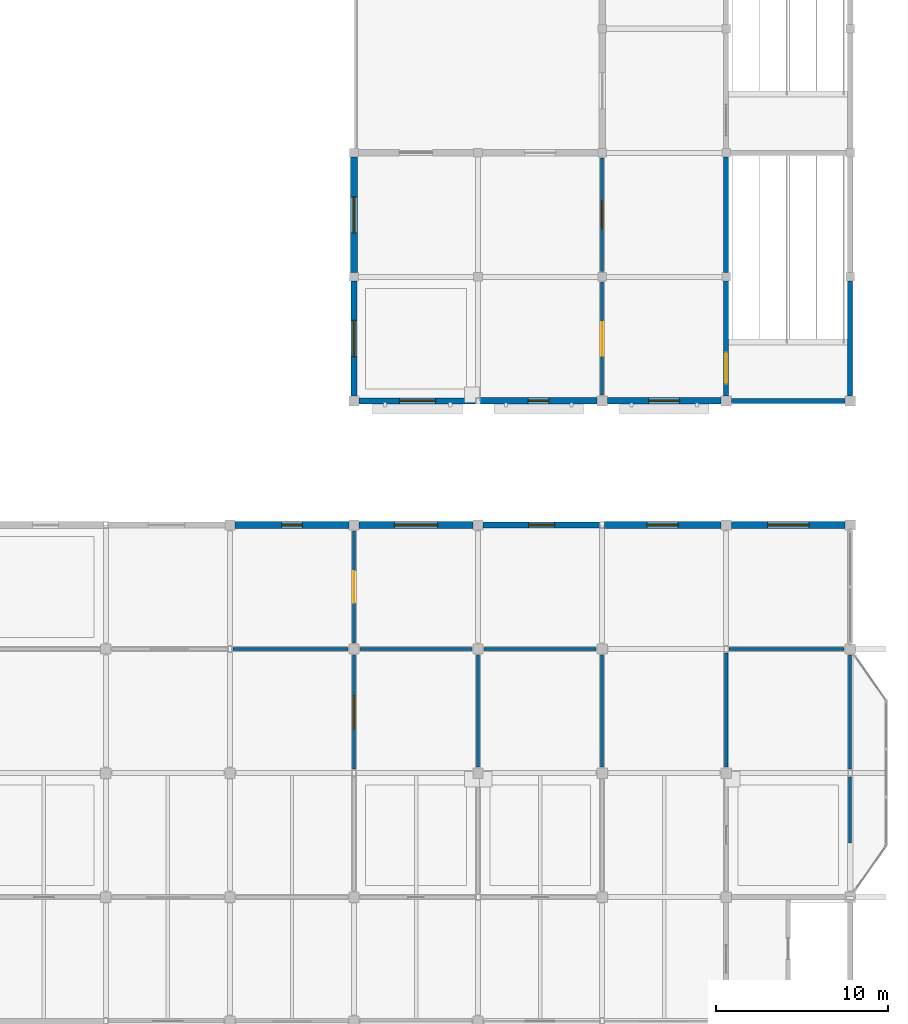
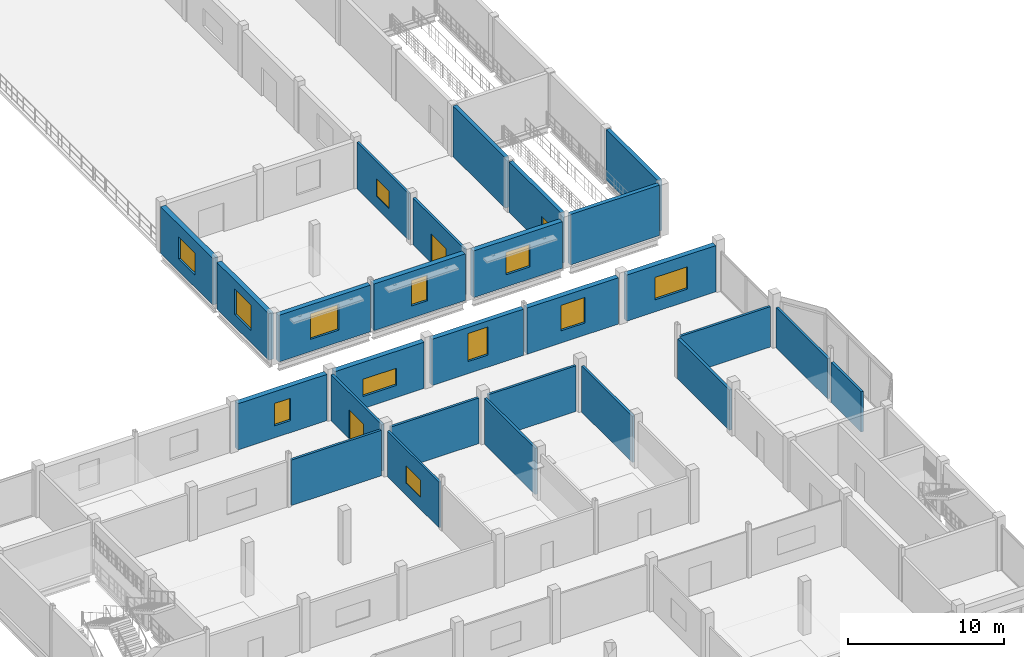
# One storey, part 39 of 51: 27 walls, 12 windows, 3 doors, 15 openings.
"""IFC4 building model written with IfcOpenShell, lengths in metres."""

from ifc_helpers import new_model, si_unit, direction, frame, frame_2d, origin, place, context, subcontext, project, spatial, rectangle, extrude, material, layer, layer_set, type_object, element, fill, save


model = new_model("IFC4")

# Units and contexts
model_context = context("Model", 3, precision=1e-05, world=origin(), true_north=direction((0.0, 1.0)))
body_context = subcontext(model_context, "Body", "Model", "MODEL_VIEW")
ifc_project = project(units=[si_unit("LENGTHUNIT", "METRE"), si_unit("AREAUNIT", "SQUARE_METRE"), si_unit("VOLUMEUNIT", "CUBIC_METRE"), si_unit("PLANEANGLEUNIT", "RADIAN"), si_unit("MASSUNIT", "GRAM", prefix="KILO")], contexts=[model_context])

# Site, building, storey
site_placement = place(None, origin())
site = spatial("IfcSite", under=ifc_project, at=site_placement, CompositionType="ELEMENT")
building_placement = place(site_placement, origin())
building = spatial("IfcBuilding", under=site, at=building_placement, Name="Vesperath Aquatics Centre", CompositionType="ELEMENT")
storey_placement = place(building_placement, frame((0.0, 0.0, 15.0)))
storey = spatial("IfcBuildingStorey", under=building, at=storey_placement, Name="L03", CompositionType="ELEMENT", Elevation=15.0)

# Wall, opening, window
ifc_material_1 = material(Name="Red-terracotta brick insulated cavity wall", Category="masonry")
ifc_layer_1 = layer(ifc_material_1, 0.3798828125)
ifc_layer_set_1 = layer_set([ifc_layer_1], Name="Red-terracotta brick insulated cavity wall")
wall_type_1 = type_object("IfcWallType", Name="WL-EW02", PredefinedType="SOLIDWALL", material=ifc_layer_set_1)
wall_1_placement = place(storey_placement, frame((137.10009765625, 43.199951171875, 0.0), z_axis=(0.0, 0.0, 1.0), x_axis=(1.0, 0.0, 0.0)))
wall_1 = element("IfcWall", 1, at=wall_1_placement, inside=storey, type_object=wall_type_1, Name="Exterior Wall EW02 L03_N_19_06", PredefinedType="SOLIDWALL", context=body_context, shape_type="SweptSolid", body=[
    extrude(rectangle(XDim=6.599853515625, YDim=0.3798828125, at=frame_2d((3.2998046875, 0.0))), origin(), (0.0, 0.0, 1.0), 3.6201171875),
])
opening_1_placement = place(wall_1_placement, frame((2.699951171875, 0.0, 0.949951171875)))
opening_1 = element("IfcOpeningElement", 2, at=opening_1_placement, cuts=wall_1, Name="Opening W14", PredefinedType="OPENING", context=body_context, shape_type="SweptSolid", body=[
    extrude(rectangle(XDim=1.199951171875, YDim=1.75, at=frame_2d((0.60009765625, 0.875))), frame((0.0, 0.204833984375, 0.0), z_axis=(0.0, -1.0, 0.0), x_axis=(1.0, 0.0, 0.0)), (0.0, 0.0, 1.0), 0.40966796875),
])
ifc_material_2 = material(Name="Thermally broken aluminium triple-glazed window", Category="aluminium")
window_type_1 = type_object("IfcWindowType", Name="WN-W14", PartitioningType="SINGLE_PANEL", PredefinedType="WINDOW", material=ifc_material_2)
window_1_placement = place(opening_1_placement, origin())
window_1 = element("IfcWindow", 3, at=window_1_placement, inside=storey, type_object=window_type_1, Name="Deep-Reveal Casement Window W14 L03_N_19_06", OverallHeight=1.75, OverallWidth=1.199951171875, PartitioningType="SINGLE_PANEL", PredefinedType="WINDOW", context=body_context, shape_type="SweptSolid", body=[
    extrude(rectangle(XDim=1.199951171875, YDim=1.75, at=frame_2d((0.60009765625, 0.875))), frame((0.0, 0.030029296875, 0.0), z_axis=(0.0, -1.0, 0.0), x_axis=(1.0, 0.0, 0.0)), (0.0, 0.0, 1.0), 0.06005859375),
])
fill(opening_1, window_1)

wall_2_placement = place(storey_placement, frame((144.300048828125, 43.199951171875, 0.0), z_axis=(0.0, 0.0, 1.0), x_axis=(1.0, 0.0, 0.0)))
wall_2 = element("IfcWall", 4, at=wall_2_placement, inside=storey, type_object=wall_type_1, Name="Exterior Wall EW02 L03_N_20_06", PredefinedType="SOLIDWALL", context=body_context, shape_type="SweptSolid", body=[
    extrude(rectangle(XDim=6.599853515625, YDim=0.3798828125, at=frame_2d((3.2998046875, 0.0))), origin(), (0.0, 0.0, 1.0), 3.6201171875),
])
opening_2_placement = place(wall_2_placement, frame((2.050048828125, 0.0, 0.949951171875)))
opening_2 = element("IfcOpeningElement", 5, at=opening_2_placement, cuts=wall_2, Name="Opening W16", PredefinedType="OPENING", context=body_context, shape_type="SweptSolid", body=[
    extrude(rectangle(XDim=2.5, YDim=1.35009765625, at=frame_2d((1.25, 0.675048828125))), frame((0.0, 0.204833984375, 0.0), z_axis=(0.0, -1.0, 0.0), x_axis=(1.0, 0.0, 0.0)), (0.0, 0.0, 1.0), 0.40966796875),
])
window_type_2 = type_object("IfcWindowType", Name="WN-W16", PartitioningType="SINGLE_PANEL", PredefinedType="WINDOW", material=ifc_material_2)
window_2_placement = place(opening_2_placement, origin())
window_2 = element("IfcWindow", 6, at=window_2_placement, inside=storey, type_object=window_type_2, Name="Deep-Reveal Casement Window W16 L03_N_20_06", OverallHeight=1.35009765625, OverallWidth=2.5, PartitioningType="SINGLE_PANEL", PredefinedType="WINDOW", context=body_context, shape_type="SweptSolid", body=[
    extrude(rectangle(XDim=2.5, YDim=1.35009765625, at=frame_2d((1.25, 0.675048828125))), frame((0.0, 0.030029296875, 0.0), z_axis=(0.0, -1.0, 0.0), x_axis=(1.0, 0.0, 0.0)), (0.0, 0.0, 1.0), 0.06005859375),
])
fill(opening_2, window_2)

wall_3_placement = place(storey_placement, frame((158.52490234375, 43.199951171875, 0.0), z_axis=(0.0, 0.0, 1.0), x_axis=(1.0, 0.0, 0.0)))
wall_3 = element("IfcWall", 7, at=wall_3_placement, inside=storey, type_object=wall_type_1, Name="Exterior Wall EW02 L03_N_22_06", PredefinedType="SOLIDWALL", context=body_context, shape_type="SweptSolid", body=[
    extrude(rectangle(XDim=6.775146484375, YDim=0.3798828125, at=frame_2d((3.3876953125, 0.0))), origin(), (0.0, 0.0, 1.0), 3.6201171875),
])
opening_3_placement = place(wall_3_placement, frame((2.488037109375, 0.0, 0.949951171875)))
opening_3 = element("IfcOpeningElement", 8, at=opening_3_placement, cuts=wall_3, Name="Opening W07", PredefinedType="OPENING", context=body_context, shape_type="SweptSolid", body=[
    extrude(rectangle(XDim=1.800048828125, YDim=2.0, at=frame_2d((0.89990234375, 1.0))), frame((0.0, 0.204833984375, 0.0), z_axis=(0.0, -1.0, 0.0), x_axis=(1.0, 0.0, 0.0)), (0.0, 0.0, 1.0), 0.40966796875),
])
window_type_3 = type_object("IfcWindowType", Name="WN-W07", PartitioningType="SINGLE_PANEL", PredefinedType="WINDOW", material=ifc_material_2)
window_3_placement = place(opening_3_placement, origin())
window_3 = element("IfcWindow", 9, at=window_3_placement, inside=storey, type_object=window_type_3, Name="Deep-Reveal Casement Window W07 L03_N_22_06", OverallHeight=2.0, OverallWidth=1.800048828125, PartitioningType="SINGLE_PANEL", PredefinedType="WINDOW", context=body_context, shape_type="SweptSolid", body=[
    extrude(rectangle(XDim=1.800048828125, YDim=2.0, at=frame_2d((0.89990234375, 1.0))), frame((0.0, 0.030029296875, 0.0), z_axis=(0.0, -1.0, 0.0), x_axis=(1.0, 0.0, 0.0)), (0.0, 0.0, 1.0), 0.06005859375),
])
fill(opening_3, window_3)

wall_4_placement = place(storey_placement, frame((165.89990234375, 43.199951171875, 0.0), z_axis=(0.0, 0.0, 1.0), x_axis=(1.0, 0.0, 0.0)))
wall_4 = element("IfcWall", 10, at=wall_4_placement, inside=storey, type_object=wall_type_1, Name="Exterior Wall EW02 L03_N_23_06", PredefinedType="SOLIDWALL", context=body_context, shape_type="SweptSolid", body=[
    extrude(rectangle(XDim=6.60009765625, YDim=0.3798828125, at=frame_2d((3.300048828125, 0.0))), origin(), (0.0, 0.0, 1.0), 3.6201171875),
])
opening_4_placement = place(wall_4_placement, frame((2.10009765625, 0.0, 0.949951171875)))
opening_4 = element("IfcOpeningElement", 11, at=opening_4_placement, cuts=wall_4, Name="Opening W10", PredefinedType="OPENING", context=body_context, shape_type="SweptSolid", body=[
    extrude(rectangle(XDim=2.39990234375, YDim=1.75, at=frame_2d((1.199951171875, 0.875))), frame((0.0, 0.204833984375, 0.0), z_axis=(0.0, -1.0, 0.0), x_axis=(1.0, 0.0, 0.0)), (0.0, 0.0, 1.0), 0.40966796875),
])
window_type_4 = type_object("IfcWindowType", Name="WN-W10", PartitioningType="SINGLE_PANEL", PredefinedType="WINDOW", material=ifc_material_2)
window_4_placement = place(opening_4_placement, origin())
window_4 = element("IfcWindow", 12, at=window_4_placement, inside=storey, type_object=window_type_4, Name="Deep-Reveal Casement Window W10 L03_N_23_06", OverallHeight=1.75, OverallWidth=2.39990234375, PartitioningType="SINGLE_PANEL", PredefinedType="WINDOW", context=body_context, shape_type="SweptSolid", body=[
    extrude(rectangle(XDim=2.39990234375, YDim=1.75, at=frame_2d((1.199951171875, 0.875))), frame((0.0, 0.030029296875, 0.0), z_axis=(0.0, -1.0, 0.0), x_axis=(1.0, 0.0, 0.0)), (0.0, 0.0, 1.0), 0.06005859375),
])
fill(opening_4, window_4)

wall_5_placement = place(storey_placement, frame((151.324951171875, 50.39990234375, 0.0), z_axis=(0.0, 0.0, 1.0), x_axis=(1.0, 0.0, 0.0)))
wall_5 = element("IfcWall", 13, at=wall_5_placement, inside=storey, type_object=wall_type_1, Name="Exterior Wall EW02 L03_S_21_07", PredefinedType="SOLIDWALL", context=body_context, shape_type="SweptSolid", body=[
    extrude(rectangle(XDim=6.775146484375, YDim=0.3798828125, at=frame_2d((3.3876953125, 0.0))), origin(), (0.0, 0.0, 1.0), 3.64990234375),
])
opening_5_placement = place(wall_5_placement, frame((2.7880859375, 0.0, 0.949951171875)))
opening_5 = element("IfcOpeningElement", 14, at=opening_5_placement, cuts=wall_5, Name="Opening W09", PredefinedType="OPENING", context=body_context, shape_type="SweptSolid", body=[
    extrude(rectangle(XDim=1.199951171875, YDim=2.0, at=frame_2d((0.60009765625, 1.0))), frame((0.0, 0.204833984375, 0.0), z_axis=(0.0, -1.0, 0.0), x_axis=(1.0, 0.0, 0.0)), (0.0, 0.0, 1.0), 0.40966796875),
])
window_type_5 = type_object("IfcWindowType", Name="WN-W09", PartitioningType="SINGLE_PANEL", PredefinedType="WINDOW", material=ifc_material_2)
window_5_placement = place(opening_5_placement, origin())
window_5 = element("IfcWindow", 15, at=window_5_placement, inside=storey, type_object=window_type_5, Name="Deep-Reveal Casement Window W09 L03_S_21_07", OverallHeight=2.0, OverallWidth=1.199951171875, PartitioningType="SINGLE_PANEL", PredefinedType="WINDOW", context=body_context, shape_type="SweptSolid", body=[
    extrude(rectangle(XDim=1.199951171875, YDim=2.0, at=frame_2d((0.60009765625, 1.0))), frame((0.0, 0.030029296875, 0.0), z_axis=(0.0, -1.0, 0.0), x_axis=(1.0, 0.0, 0.0)), (0.0, 0.0, 1.0), 0.06005859375),
])
fill(opening_5, window_5)

wall_6_placement = place(storey_placement, frame((158.699951171875, 50.39990234375, 0.0), z_axis=(0.0, 0.0, 1.0), x_axis=(1.0, 0.0, 0.0)))
wall_6 = element("IfcWall", 16, at=wall_6_placement, inside=storey, type_object=wall_type_1, Name="Exterior Wall EW02 L03_S_22_07", PredefinedType="SOLIDWALL", context=body_context, shape_type="SweptSolid", body=[
    extrude(rectangle(XDim=6.60009765625, YDim=0.3798828125, at=frame_2d((3.300048828125, 0.0))), origin(), (0.0, 0.0, 1.0), 3.64990234375),
])
opening_6_placement = place(wall_6_placement, frame((2.39990234375, 0.0, 0.949951171875)))
opening_6 = element("IfcOpeningElement", 17, at=opening_6_placement, cuts=wall_6, Name="Opening W12", PredefinedType="OPENING", context=body_context, shape_type="SweptSolid", body=[
    extrude(rectangle(XDim=1.800048828125, YDim=1.75, at=frame_2d((0.89990234375, 0.875))), frame((0.0, 0.204833984375, 0.0), z_axis=(0.0, -1.0, 0.0), x_axis=(1.0, 0.0, 0.0)), (0.0, 0.0, 1.0), 0.40966796875),
])
window_type_6 = type_object("IfcWindowType", Name="WN-W12", PartitioningType="SINGLE_PANEL", PredefinedType="WINDOW", material=ifc_material_2)
window_6_placement = place(opening_6_placement, origin())
window_6 = element("IfcWindow", 18, at=window_6_placement, inside=storey, type_object=window_type_6, Name="Deep-Reveal Casement Window W12 L03_S_22_07", OverallHeight=1.75, OverallWidth=1.800048828125, PartitioningType="SINGLE_PANEL", PredefinedType="WINDOW", context=body_context, shape_type="SweptSolid", body=[
    extrude(rectangle(XDim=1.800048828125, YDim=1.75, at=frame_2d((0.89990234375, 0.875))), frame((0.0, 0.030029296875, 0.0), z_axis=(0.0, -1.0, 0.0), x_axis=(1.0, 0.0, 0.0)), (0.0, 0.0, 1.0), 0.06005859375),
])
fill(opening_6, window_6)

wall_7_placement = place(storey_placement, frame((144.0, 57.85009765625, 0.0), z_axis=(0.0, 0.0, 1.0), x_axis=(0.0, 1.0, 0.0)))
wall_7 = element("IfcWall", 19, at=wall_7_placement, inside=storey, type_object=wall_type_1, Name="Exterior Wall EW02 L03_W_20_08", PredefinedType="SOLIDWALL", context=body_context, shape_type="SweptSolid", body=[
    extrude(rectangle(XDim=6.699951171875, YDim=0.3798828125, at=frame_2d((3.35009765625, 0.0))), origin(), (0.0, 0.0, 1.0), 3.64990234375),
])
opening_7_placement = place(wall_7_placement, frame((2.300048828125, 0.0, 0.949951171875)))
opening_7 = element("IfcOpeningElement", 20, at=opening_7_placement, cuts=wall_7, Name="Opening W11", PredefinedType="OPENING", context=body_context, shape_type="SweptSolid", body=[
    extrude(rectangle(XDim=2.10009765625, YDim=1.75, at=frame_2d((1.050048828125, 0.875))), frame((0.0, 0.204833984375, 0.0), z_axis=(0.0, -1.0, 0.0), x_axis=(1.0, 0.0, 0.0)), (0.0, 0.0, 1.0), 0.40966796875),
])
window_type_7 = type_object("IfcWindowType", Name="WN-W11", PartitioningType="SINGLE_PANEL", PredefinedType="WINDOW", material=ifc_material_2)
window_7_placement = place(opening_7_placement, origin())
window_7 = element("IfcWindow", 21, at=window_7_placement, inside=storey, type_object=window_type_7, Name="Deep-Reveal Casement Window W11 L03_W_20_08", OverallHeight=1.75, OverallWidth=2.10009765625, PartitioningType="SINGLE_PANEL", PredefinedType="WINDOW", context=body_context, shape_type="SweptSolid", body=[
    extrude(rectangle(XDim=2.10009765625, YDim=1.75, at=frame_2d((1.050048828125, 0.875))), frame((0.0, 0.030029296875, 0.0), z_axis=(0.0, -1.0, 0.0), x_axis=(1.0, 0.0, 0.0)), (0.0, 0.0, 1.0), 0.06005859375),
])
fill(opening_7, window_7)

ifc_material_3 = material(Name="Glazed majolica and brick insulated cavity wall", Category="masonry")
ifc_layer_2 = layer(ifc_material_3, 0.360107421875)
ifc_layer_set_2 = layer_set([ifc_layer_2], Name="Glazed majolica and brick insulated cavity wall")
wall_type_2 = type_object("IfcWallType", Name="WL-EW03", PredefinedType="SOLIDWALL", material=ifc_layer_set_2)
wall_8_placement = place(storey_placement, frame((151.5, 43.199951171875, 0.0), z_axis=(0.0, 0.0, 1.0), x_axis=(1.0, 0.0, 0.0)))
wall_8 = element("IfcWall", 22, at=wall_8_placement, inside=storey, type_object=wall_type_2, Name="Exterior Wall EW03 L03_N_21_06", PredefinedType="SOLIDWALL", context=body_context, shape_type="SweptSolid", body=[
    extrude(rectangle(XDim=6.77490234375, YDim=0.360107421875, at=frame_2d((3.387451171875, 0.0))), origin(), (0.0, 0.0, 1.0), 3.6201171875),
])
opening_8_placement = place(wall_8_placement, frame((2.637939453125, 0.0, 0.949951171875)))
opening_8 = element("IfcOpeningElement", 23, at=opening_8_placement, cuts=wall_8, Name="Opening W04", PredefinedType="OPENING", context=body_context, shape_type="SweptSolid", body=[
    extrude(rectangle(XDim=1.5, YDim=2.199951171875, at=frame_2d((0.75, 1.10009765625))), frame((0.0, 0.19482421875, 0.0), z_axis=(0.0, -1.0, 0.0), x_axis=(1.0, 0.0, 0.0)), (0.0, 0.0, 1.0), 0.389892578125),
])
window_type_8 = type_object("IfcWindowType", Name="WN-W04", PartitioningType="SINGLE_PANEL", PredefinedType="WINDOW", material=ifc_material_2)
window_8_placement = place(opening_8_placement, origin())
window_8 = element("IfcWindow", 24, at=window_8_placement, inside=storey, type_object=window_type_8, Name="Deep-Reveal Casement Window W04 L03_N_21_06", OverallHeight=2.199951171875, OverallWidth=1.5, PartitioningType="SINGLE_PANEL", PredefinedType="WINDOW", context=body_context, shape_type="SweptSolid", body=[
    extrude(rectangle(XDim=1.5, YDim=2.199951171875, at=frame_2d((0.75, 1.10009765625))), frame((0.0, 0.030029296875, 0.0), z_axis=(0.0, -1.0, 0.0), x_axis=(1.0, 0.0, 0.0)), (0.0, 0.0, 1.0), 0.06005859375),
])
fill(opening_8, window_8)

wall_9_placement = place(storey_placement, frame((144.300048828125, 50.39990234375, 0.0), z_axis=(0.0, 0.0, 1.0), x_axis=(1.0, 0.0, 0.0)))
wall_9 = element("IfcWall", 25, at=wall_9_placement, inside=storey, type_object=wall_type_2, Name="Exterior Wall EW03 L03_S_20_07", PredefinedType="SOLIDWALL", context=body_context, shape_type="SweptSolid", body=[
    extrude(rectangle(XDim=6.77490234375, YDim=0.360107421875, at=frame_2d((3.387451171875, 0.0))), origin(), (0.0, 0.0, 1.0), 3.64990234375),
])
opening_9_placement = place(wall_9_placement, frame((2.3369140625, 0.0, 0.949951171875)))
opening_9 = element("IfcOpeningElement", 26, at=opening_9_placement, cuts=wall_9, Name="Opening W06", PredefinedType="OPENING", context=body_context, shape_type="SweptSolid", body=[
    extrude(rectangle(XDim=2.10009765625, YDim=2.0, at=frame_2d((1.050048828125, 1.0))), frame((0.0, 0.19482421875, 0.0), z_axis=(0.0, -1.0, 0.0), x_axis=(1.0, 0.0, 0.0)), (0.0, 0.0, 1.0), 0.389892578125),
])
window_type_9 = type_object("IfcWindowType", Name="WN-W06", PartitioningType="SINGLE_PANEL", PredefinedType="WINDOW", material=ifc_material_2)
window_9_placement = place(opening_9_placement, origin())
window_9 = element("IfcWindow", 27, at=window_9_placement, inside=storey, type_object=window_type_9, Name="Deep-Reveal Casement Window W06 L03_S_20_07", OverallHeight=2.0, OverallWidth=2.10009765625, PartitioningType="SINGLE_PANEL", PredefinedType="WINDOW", context=body_context, shape_type="SweptSolid", body=[
    extrude(rectangle(XDim=2.10009765625, YDim=2.0, at=frame_2d((1.050048828125, 1.0))), frame((0.0, 0.030029296875, 0.0), z_axis=(0.0, -1.0, 0.0), x_axis=(1.0, 0.0, 0.0)), (0.0, 0.0, 1.0), 0.06005859375),
])
fill(opening_9, window_9)

wall_10_placement = place(storey_placement, frame((144.0, 50.699951171875, 0.0), z_axis=(0.0, 0.0, 1.0), x_axis=(0.0, 1.0, 0.0)))
wall_10 = element("IfcWall", 28, at=wall_10_placement, inside=storey, type_object=wall_type_2, Name="Exterior Wall EW03 L03_W_20_07", PredefinedType="SOLIDWALL", context=body_context, shape_type="SweptSolid", body=[
    extrude(rectangle(XDim=6.650146484375, YDim=0.360107421875, at=frame_2d((3.3251953125, 0.0))), origin(), (0.0, 0.0, 1.0), 3.64990234375),
])
opening_10_placement = place(wall_10_placement, frame((2.27490234375, 0.0, 0.949951171875)))
opening_10 = element("IfcOpeningElement", 29, at=opening_10_placement, cuts=wall_10, Name="Opening W06", PredefinedType="OPENING", context=body_context, shape_type="SweptSolid", body=[
    extrude(rectangle(XDim=2.10009765625, YDim=2.0, at=frame_2d((1.050048828125, 1.0))), frame((0.0, 0.19482421875, 0.0), z_axis=(0.0, -1.0, 0.0), x_axis=(1.0, 0.0, 0.0)), (0.0, 0.0, 1.0), 0.389892578125),
])
window_10_placement = place(opening_10_placement, origin())
window_10 = element("IfcWindow", 30, at=window_10_placement, inside=storey, type_object=window_type_9, Name="Deep-Reveal Casement Window W06 L03_W_20_07", OverallHeight=2.0, OverallWidth=2.10009765625, PartitioningType="SINGLE_PANEL", PredefinedType="WINDOW", context=body_context, shape_type="SweptSolid", body=[
    extrude(rectangle(XDim=2.10009765625, YDim=2.0, at=frame_2d((1.050048828125, 1.0))), frame((0.0, 0.030029296875, 0.0), z_axis=(0.0, -1.0, 0.0), x_axis=(1.0, 0.0, 0.0)), (0.0, 0.0, 1.0), 0.06005859375),
])
fill(opening_10, window_10)

# Wall
ifc_material_4 = material(Name="Wet-village masonry block wall", Category="masonry")
ifc_layer_3 = layer(ifc_material_4, 0.199951171875)
ifc_layer_set_3 = layer_set([ifc_layer_3], Name="Wet-village masonry block wall")
wall_type_3 = type_object("IfcWallType", Name="WL-FW03", PredefinedType="SOLIDWALL", material=ifc_layer_set_3)
wall_11_placement = place(storey_placement, frame((165.60009765625, 29.14990234375, 0.0), z_axis=(0.0, 0.0, 1.0), x_axis=(0.0, 1.0, 0.0)))
element("IfcWall", 31, at=wall_11_placement, inside=storey, type_object=wall_type_3, Name="Interior Partition FW03 L03_AWC-W2", PredefinedType="SOLIDWALL", context=body_context, shape_type="SweptSolid", body=[
    extrude(rectangle(XDim=6.625, YDim=0.199951171875, at=frame_2d((3.3125, 0.0))), origin(), (0.0, 0.0, 1.0), 3.159912109375),
])

# Wall, opening, door
ifc_material_5 = material(Name="Double-stud acoustic studio partition", Category="gypsum")
ifc_layer_4 = layer(ifc_material_5, 0.18505859375)
ifc_layer_set_4 = layer_set([ifc_layer_4], Name="Double-stud acoustic studio partition")
wall_type_4 = type_object("IfcWallType", Name="WL-IW01", PredefinedType="PARTITIONING", material=ifc_layer_set_4)
wall_12_placement = place(storey_placement, frame((144.0, 36.35009765625, 0.0), z_axis=(0.0, 0.0, 1.0), x_axis=(0.0, 1.0, 0.0)))
wall_12 = element("IfcWall", 32, at=wall_12_placement, inside=storey, type_object=wall_type_4, Name="Interior Partition IW01 L03_PHYS_LAB-E1", PredefinedType="PARTITIONING", context=body_context, shape_type="SweptSolid", body=[
    extrude(rectangle(XDim=6.5, YDim=0.18505859375, at=frame_2d((3.25, 0.0))), origin(), (0.0, 0.0, 1.0), 3.6201171875),
])
opening_11_placement = place(wall_12_placement, frame((2.324951171875, 0.0, 0.0)))
opening_11 = element("IfcOpeningElement", 33, at=opening_11_placement, cuts=wall_12, Name="Opening D15", PredefinedType="OPENING", context=body_context, shape_type="SweptSolid", body=[
    extrude(rectangle(XDim=1.85009765625, YDim=2.25, at=frame_2d((0.925048828125, 1.125))), frame((0.0, 0.107421875, 0.0), z_axis=(0.0, -1.0, 0.0), x_axis=(1.0, 0.0, 0.0)), (0.0, 0.0, 1.0), 0.21484375),
])
ifc_material_6 = material(Name="Pool equipment store double door", Category="steel")
door_type_1 = type_object("IfcDoorType", Name="DR-RM07", OperationType="DOUBLE_SWING_LEFT", PredefinedType="DOOR", material=ifc_material_6)
door_1_placement = place(opening_11_placement, origin())
door_1 = element("IfcDoor", 34, at=door_1_placement, inside=storey, type_object=door_type_1, Name="Blood Lactate and Physiology Analysis Suite Door D15", OperationType="DOUBLE_SWING_LEFT", OverallHeight=2.25, OverallWidth=1.85009765625, PredefinedType="DOOR", context=body_context, shape_type="SweptSolid", body=[
    extrude(rectangle(XDim=1.85009765625, YDim=2.25, at=frame_2d((0.925048828125, 1.125))), frame((0.0, 0.02490234375, 0.0), z_axis=(0.0, -1.0, 0.0), x_axis=(1.0, 0.0, 0.0)), (0.0, 0.0, 1.0), 0.050048828125),
])
fill(opening_11, door_1)

# Walls
ifc_material_7 = material(Name="Moisture-resistant tiled wet partition", Category="gypsum")
ifc_layer_5 = layer(ifc_material_7, 0.175048828125)
ifc_layer_set_5 = layer_set([ifc_layer_5], Name="Moisture-resistant tiled wet partition")
wall_type_5 = type_object("IfcWallType", Name="WL-IW02", PredefinedType="PARTITIONING", material=ifc_layer_set_5)
wall_13_placement = place(storey_placement, frame((136.97509765625, 36.0, 0.0), z_axis=(0.0, 0.0, 1.0), x_axis=(1.0, 0.0, 0.0)))
element("IfcWall", 35, at=wall_13_placement, inside=storey, type_object=wall_type_5, Name="Interior Partition IW02 L03_BIOMECH-N3", PredefinedType="PARTITIONING", context=body_context, shape_type="SweptSolid", body=[
    extrude(rectangle(XDim=6.6748046875, YDim=0.175048828125, at=frame_2d((3.33740234375, 0.0))), origin(), (0.0, 0.0, 1.0), 3.570068359375),
])
wall_14_placement = place(storey_placement, frame((144.35009765625, 36.0, 0.0), z_axis=(0.0, 0.0, 1.0), x_axis=(1.0, 0.0, 0.0)))
element("IfcWall", 36, at=wall_14_placement, inside=storey, type_object=wall_type_5, Name="Interior Partition IW02 L03_MWC-N1", PredefinedType="PARTITIONING", context=body_context, shape_type="SweptSolid", body=[
    extrude(rectangle(XDim=6.5, YDim=0.175048828125, at=frame_2d((3.25, 0.0))), origin(), (0.0, 0.0, 1.0), 3.570068359375),
])
wall_15_placement = place(storey_placement, frame((151.199951171875, 29.14990234375, 0.0), z_axis=(0.0, 0.0, 1.0), x_axis=(0.0, 1.0, 0.0)))
element("IfcWall", 37, at=wall_15_placement, inside=storey, type_object=wall_type_5, Name="Interior Partition IW02 L03_MWC-E2", PredefinedType="PARTITIONING", context=body_context, shape_type="SweptSolid", body=[
    extrude(rectangle(XDim=6.5, YDim=0.175048828125, at=frame_2d((3.25, 0.0))), origin(), (0.0, 0.0, 1.0), 3.6201171875),
])
wall_16_placement = place(storey_placement, frame((151.550048828125, 36.0, 0.0), z_axis=(0.0, 0.0, 1.0), x_axis=(1.0, 0.0, 0.0)))
element("IfcWall", 38, at=wall_16_placement, inside=storey, type_object=wall_type_5, Name="Interior Partition IW02 L03_FWC-N1", PredefinedType="PARTITIONING", context=body_context, shape_type="SweptSolid", body=[
    extrude(rectangle(XDim=6.5, YDim=0.175048828125, at=frame_2d((3.25, 0.0))), origin(), (0.0, 0.0, 1.0), 3.570068359375),
])
wall_17_placement = place(storey_placement, frame((158.39990234375, 29.14990234375, 0.0), z_axis=(0.0, 0.0, 1.0), x_axis=(0.0, 1.0, 0.0)))
element("IfcWall", 39, at=wall_17_placement, inside=storey, type_object=wall_type_5, Name="Interior Partition IW02 L03_FWC-E2", PredefinedType="PARTITIONING", context=body_context, shape_type="SweptSolid", body=[
    extrude(rectangle(XDim=6.5, YDim=0.175048828125, at=frame_2d((3.25, 0.0))), origin(), (0.0, 0.0, 1.0), 3.6201171875),
])
wall_18_placement = place(storey_placement, frame((165.77490234375, 36.0, 0.0), z_axis=(0.0, 0.0, 1.0), x_axis=(1.0, 0.0, 0.0)))
element("IfcWall", 40, at=wall_18_placement, inside=storey, type_object=wall_type_5, Name="Interior Partition IW02 L03_AWC-N1", PredefinedType="PARTITIONING", context=body_context, shape_type="SweptSolid", body=[
    extrude(rectangle(XDim=6.675048828125, YDim=0.175048828125, at=frame_2d((3.33740234375, 0.0))), origin(), (0.0, 0.0, 1.0), 3.159912109375),
])
wall_19_placement = place(storey_placement, frame((172.800048828125, 24.75, 0.0), z_axis=(0.0, 0.0, 1.0), x_axis=(0.0, 1.0, 0.0)))
element("IfcWall", 41, at=wall_19_placement, inside=storey, type_object=wall_type_5, Name="Interior Partition IW02 L03_AWC-E1", PredefinedType="PARTITIONING", context=body_context, shape_type="SweptSolid", body=[
    extrude(rectangle(XDim=3.824951171875, YDim=0.175048828125, at=frame_2d((1.91259765625, 0.0))), origin(), (0.0, 0.0, 1.0), 3.159912109375),
])
wall_20_placement = place(storey_placement, frame((172.800048828125, 29.02490234375, 0.0), z_axis=(0.0, 0.0, 1.0), x_axis=(0.0, 1.0, 0.0)))
element("IfcWall", 42, at=wall_20_placement, inside=storey, type_object=wall_type_5, Name="Interior Partition IW02 L03_AWC-E2", PredefinedType="PARTITIONING", context=body_context, shape_type="SweptSolid", body=[
    extrude(rectangle(XDim=6.625, YDim=0.175048828125, at=frame_2d((3.3125, 0.0))), origin(), (0.0, 0.0, 1.0), 3.159912109375),
])

# Wall, opening, door
wall_21_placement = place(storey_placement, frame((158.39990234375, 50.75, 0.0), z_axis=(0.0, 0.0, 1.0), x_axis=(0.0, 1.0, 0.0)))
wall_21 = element("IfcWall", 43, at=wall_21_placement, inside=storey, type_object=wall_type_5, Name="Interior Partition IW02 L03_TEA_SALON-E1", PredefinedType="PARTITIONING", context=body_context, shape_type="SweptSolid", body=[
    extrude(rectangle(XDim=6.550048828125, YDim=0.175048828125, at=frame_2d((3.27490234375, 0.0))), origin(), (0.0, 0.0, 1.0), 3.64990234375),
])
opening_12_placement = place(wall_21_placement, frame((2.27490234375, 0.0, 0.0)))
opening_12 = element("IfcOpeningElement", 44, at=opening_12_placement, cuts=wall_21, Name="Opening D16", PredefinedType="OPENING", context=body_context, shape_type="SweptSolid", body=[
    extrude(rectangle(XDim=1.949951171875, YDim=2.25, at=frame_2d((0.97509765625, 1.125))), frame((0.0, 0.1025390625, 0.0), z_axis=(0.0, -1.0, 0.0), x_axis=(1.0, 0.0, 0.0)), (0.0, 0.0, 1.0), 0.204833984375),
])
ifc_material_8 = material(Name="Mixed-zone media double door", Category="steel")
door_type_2 = type_object("IfcDoorType", Name="DR-RM08", OperationType="DOUBLE_SWING_LEFT", PredefinedType="DOOR", material=ifc_material_8)
door_2_placement = place(opening_12_placement, origin())
door_2 = element("IfcDoor", 45, at=door_2_placement, inside=storey, type_object=door_type_2, Name="Conservatory Tea Salon and Refreshment Room Door D16", OperationType="DOUBLE_SWING_LEFT", OverallHeight=2.25, OverallWidth=1.949951171875, PredefinedType="DOOR", context=body_context, shape_type="SweptSolid", body=[
    extrude(rectangle(XDim=1.949951171875, YDim=2.25, at=frame_2d((0.97509765625, 1.125))), frame((0.0, 0.02490234375, 0.0), z_axis=(0.0, -1.0, 0.0), x_axis=(1.0, 0.0, 0.0)), (0.0, 0.0, 1.0), 0.050048828125),
])
fill(opening_12, door_2)

# Wall, opening, window
ifc_material_9 = material(Name="Corridor fire-rated gypsum partition", Category="gypsum")
ifc_layer_6 = layer(ifc_material_9, 0.16796875)
ifc_layer_set_6 = layer_set([ifc_layer_6], Name="Corridor fire-rated gypsum partition")
wall_type_6 = type_object("IfcWallType", Name="WL-IW03", PredefinedType="PARTITIONING", material=ifc_layer_set_6)
wall_22_placement = place(storey_placement, frame((158.39990234375, 57.89990234375, 0.0), z_axis=(0.0, 0.0, 1.0), x_axis=(0.0, 1.0, 0.0)))
wall_22 = element("IfcWall", 46, at=wall_22_placement, inside=storey, type_object=wall_type_6, Name="Interior Partition IW03 L03_TEA_SALON-E2", PredefinedType="PARTITIONING", context=body_context, shape_type="SweptSolid", body=[
    extrude(rectangle(XDim=6.60009765625, YDim=0.16796875, at=frame_2d((3.300048828125, 0.0))), origin(), (0.0, 0.0, 1.0), 3.64990234375),
])
opening_13_placement = place(wall_22_placement, frame((2.5, 0.0, 0.949951171875)))
opening_13 = element("IfcOpeningElement", 47, at=opening_13_placement, cuts=wall_22, Name="Opening VW09", PredefinedType="OPENING", context=body_context, shape_type="SweptSolid", body=[
    extrude(rectangle(XDim=1.60009765625, YDim=1.35009765625, at=frame_2d((0.800048828125, 0.675048828125))), frame((0.0, 0.098876953125, 0.0), z_axis=(0.0, -1.0, 0.0), x_axis=(1.0, 0.0, 0.0)), (0.0, 0.0, 1.0), 0.19775390625),
])
ifc_material_10 = material(Name="Acoustic laminated interior viewing glazing", Category="glass")
window_type_10 = type_object("IfcWindowType", Name="WN-IW09", PartitioningType="SINGLE_PANEL", PredefinedType="WINDOW", material=ifc_material_10)
window_11_placement = place(opening_13_placement, origin())
window_11 = element("IfcWindow", 48, at=window_11_placement, inside=storey, type_object=window_type_10, Name="Interior Viewing Window VW09 L03_TEA_SALON", OverallHeight=1.35009765625, OverallWidth=1.60009765625, PartitioningType="SINGLE_PANEL", PredefinedType="WINDOW", context=body_context, shape_type="SweptSolid", body=[
    extrude(rectangle(XDim=1.60009765625, YDim=1.35009765625, at=frame_2d((0.800048828125, 0.675048828125))), frame((0.0, 0.030029296875, 0.0), z_axis=(0.0, -1.0, 0.0), x_axis=(1.0, 0.0, 0.0)), (0.0, 0.0, 1.0), 0.06005859375),
])
fill(opening_13, window_11)

ifc_material_11 = material(Name="Clinic acoustic partition", Category="gypsum")
ifc_layer_7 = layer(ifc_material_11, 0.159912109375)
ifc_layer_set_7 = layer_set([ifc_layer_7], Name="Clinic acoustic partition")
wall_type_7 = type_object("IfcWallType", Name="WL-IW04", PredefinedType="PARTITIONING", material=ifc_layer_set_7)
wall_23_placement = place(storey_placement, frame((144.0, 29.02490234375, 0.0), z_axis=(0.0, 0.0, 1.0), x_axis=(0.0, 1.0, 0.0)))
wall_23 = element("IfcWall", 49, at=wall_23_placement, inside=storey, type_object=wall_type_7, Name="Interior Partition IW04 L03_BIOMECH-E2", PredefinedType="PARTITIONING", context=body_context, shape_type="SweptSolid", body=[
    extrude(rectangle(XDim=6.625, YDim=0.159912109375, at=frame_2d((3.3125, 0.0))), origin(), (0.0, 0.0, 1.0), 3.570068359375),
])
opening_14_placement = place(wall_23_placement, frame((2.362060546875, 0.0, 0.949951171875)))
opening_14 = element("IfcOpeningElement", 50, at=opening_14_placement, cuts=wall_23, Name="Opening VW08", PredefinedType="OPENING", context=body_context, shape_type="SweptSolid", body=[
    extrude(rectangle(XDim=1.89990234375, YDim=1.35009765625, at=frame_2d((0.949951171875, 0.675048828125))), frame((0.0, 0.0947265625, 0.0), z_axis=(0.0, -1.0, 0.0), x_axis=(1.0, 0.0, 0.0)), (0.0, 0.0, 1.0), 0.189697265625),
])
window_type_11 = type_object("IfcWindowType", Name="WN-IW08", PartitioningType="SINGLE_PANEL", PredefinedType="WINDOW", material=ifc_material_10)
window_12_placement = place(opening_14_placement, origin())
window_12 = element("IfcWindow", 51, at=window_12_placement, inside=storey, type_object=window_type_11, Name="Interior Viewing Window VW08 L03_BIOMECH", OverallHeight=1.35009765625, OverallWidth=1.89990234375, PartitioningType="SINGLE_PANEL", PredefinedType="WINDOW", context=body_context, shape_type="SweptSolid", body=[
    extrude(rectangle(XDim=1.89990234375, YDim=1.35009765625, at=frame_2d((0.949951171875, 0.675048828125))), frame((0.0, 0.030029296875, 0.0), z_axis=(0.0, -1.0, 0.0), x_axis=(1.0, 0.0, 0.0)), (0.0, 0.0, 1.0), 0.06005859375),
])
fill(opening_14, window_12)

# Wall, opening, door
ifc_material_12 = material(Name="Concrete C40", Category="concrete")
ifc_layer_8 = layer(ifc_material_12, 0.280029296875)
ifc_layer_set_8 = layer_set([ifc_layer_8], Name="Concrete C40")
wall_type_8 = type_object("IfcWallType", Name="WL-SW02", PredefinedType="SHEAR", material=ifc_layer_set_8)
wall_24_placement = place(storey_placement, frame((165.60009765625, 50.699951171875, 0.0), z_axis=(0.0, 0.0, 1.0), x_axis=(0.0, 1.0, 0.0)))
wall_24 = element("IfcWall", 52, at=wall_24_placement, inside=storey, type_object=wall_type_8, Name="Core C12 West-1 Shear Wall SW02 L03", PredefinedType="SHEAR", context=body_context, shape_type="SweptSolid", body=[
    extrude(rectangle(XDim=6.650146484375, YDim=0.280029296875, at=frame_2d((3.3251953125, 0.0))), origin(), (0.0, 0.0, 1.0), 3.9599609375),
])
opening_15_placement = place(wall_24_placement, frame((0.699951171875, 0.0, 0.0)))
opening_15 = element("IfcOpeningElement", 53, at=opening_15_placement, cuts=wall_24, Name="Opening D03", PredefinedType="OPENING", context=body_context, shape_type="SweptSolid", body=[
    extrude(rectangle(XDim=1.800048828125, YDim=2.199951171875, at=frame_2d((0.89990234375, 1.10009765625))), frame((0.0, 0.15478515625, 0.0), z_axis=(0.0, -1.0, 0.0), x_axis=(1.0, 0.0, 0.0)), (0.0, 0.0, 1.0), 0.309814453125),
])
ifc_material_13 = material(Name="Corridor smoke-control double fire door", Category="steel")
door_type_3 = type_object("IfcDoorType", Name="DR-FD03", OperationType="DOUBLE_SWING_LEFT", PredefinedType="DOOR", material=ifc_material_13)
door_3_placement = place(opening_15_placement, frame((1.800048828125, 0.0, 0.0), z_axis=(0.0, 0.0, 1.0), x_axis=(-1.0, 0.0, 0.0)))
door_3 = element("IfcDoor", 54, at=door_3_placement, inside=storey, type_object=door_type_3, Name="Stair ST12 Fire Door D03 L03", OperationType="DOUBLE_SWING_LEFT", OverallHeight=2.199951171875, OverallWidth=1.800048828125, PredefinedType="DOOR", context=body_context, shape_type="SweptSolid", body=[
    extrude(rectangle(XDim=1.800048828125, YDim=2.199951171875, at=frame_2d((0.89990234375, 1.10009765625))), frame((0.0, 0.02490234375, 0.0), z_axis=(0.0, -1.0, 0.0), x_axis=(1.0, 0.0, 0.0)), (0.0, 0.0, 1.0), 0.050048828125),
])
fill(opening_15, door_3)

# Walls
wall_25_placement = place(storey_placement, frame((165.60009765625, 57.85009765625, 0.0), z_axis=(0.0, 0.0, 1.0), x_axis=(0.0, 1.0, 0.0)))
element("IfcWall", 55, at=wall_25_placement, inside=storey, type_object=wall_type_8, Name="Core C12 West-2 Shear Wall SW02 L03", PredefinedType="SHEAR", context=body_context, shape_type="SweptSolid", body=[
    extrude(rectangle(XDim=6.699951171875, YDim=0.280029296875, at=frame_2d((3.35009765625, 0.0))), origin(), (0.0, 0.0, 1.0), 3.9599609375),
])
ifc_layer_9 = layer(ifc_material_12, 0.2900390625)
ifc_layer_set_9 = layer_set([ifc_layer_9], Name="Concrete C40")
wall_type_9 = type_object("IfcWallType", Name="WL-SW06", PredefinedType="SHEAR", material=ifc_layer_set_9)
wall_26_placement = place(storey_placement, frame((165.89990234375, 50.39990234375, 0.0), z_axis=(0.0, 0.0, 1.0), x_axis=(1.0, 0.0, 0.0)))
element("IfcWall", 56, at=wall_26_placement, inside=storey, type_object=wall_type_9, Name="Core C12 South Shear Wall SW06 L03", PredefinedType="SHEAR", context=body_context, shape_type="SweptSolid", body=[
    extrude(rectangle(XDim=6.60009765625, YDim=0.2900390625, at=frame_2d((3.300048828125, 0.0))), origin(), (0.0, 0.0, 1.0), 3.9599609375),
])
wall_27_placement = place(storey_placement, frame((172.800048828125, 50.699951171875, 0.0), z_axis=(0.0, 0.0, 1.0), x_axis=(0.0, 1.0, 0.0)))
element("IfcWall", 57, at=wall_27_placement, inside=storey, type_object=wall_type_9, Name="Core C12 East-1 Shear Wall SW06 L03", PredefinedType="SHEAR", context=body_context, shape_type="SweptSolid", body=[
    extrude(rectangle(XDim=6.650146484375, YDim=0.2900390625, at=frame_2d((3.3251953125, 0.0))), origin(), (0.0, 0.0, 1.0), 3.9599609375),
])

save(model, "model.ifc")
